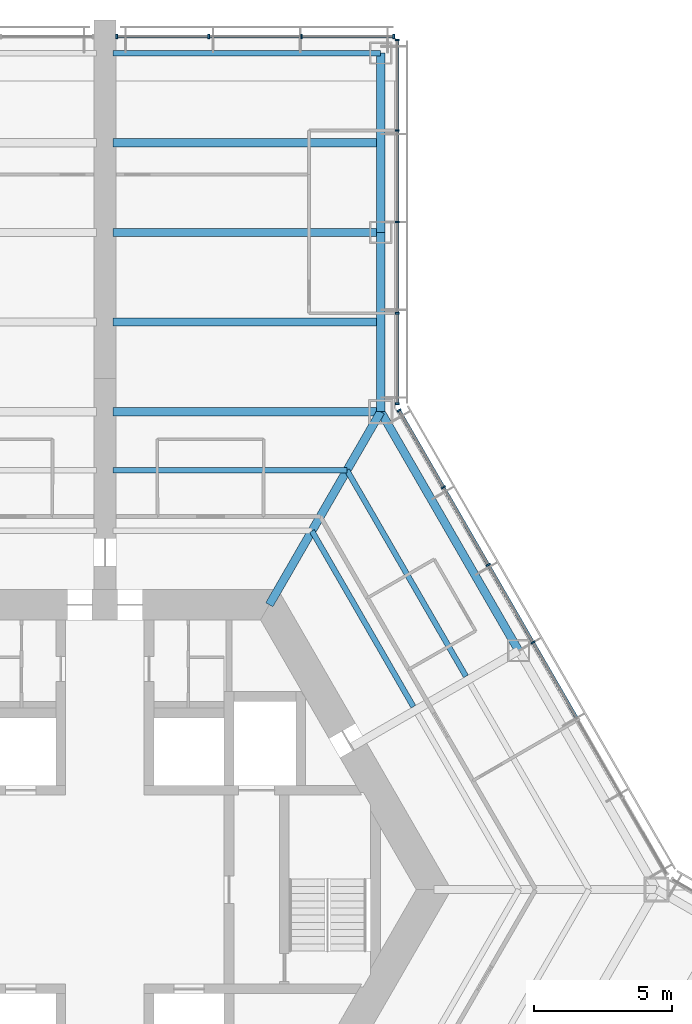
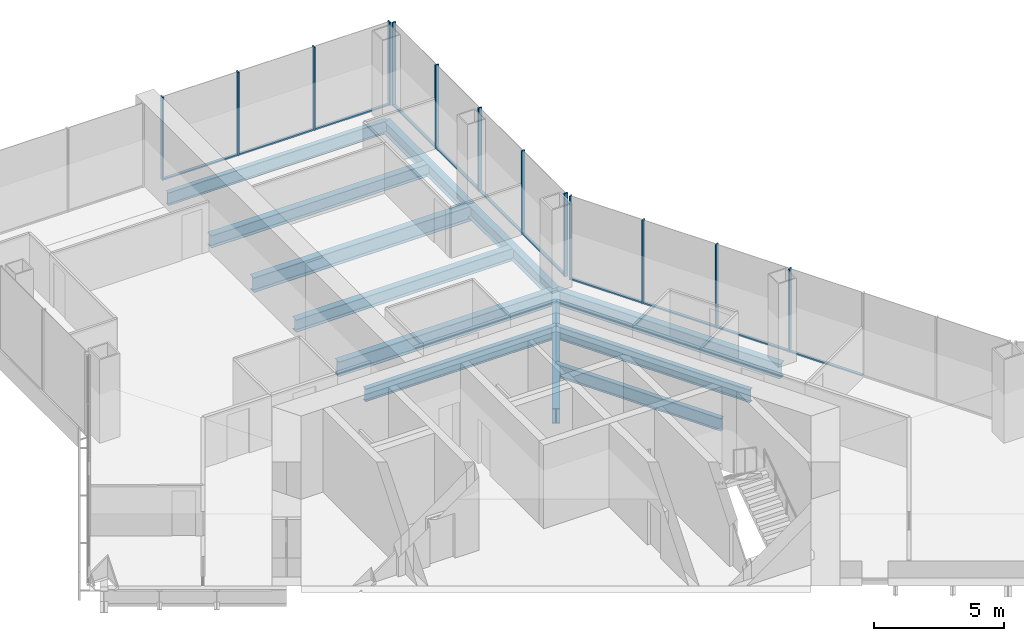
# One storey, part 8 of 18: 24 members, 12 beams, 3 elements without a shape of their own.
"""IFC4 building model written with IfcOpenShell, lengths in metres."""

from ifc_helpers import new_model, si_unit, direction, frame, origin, origin_2d, place, context, subcontext, project, spatial, rectangle, i_section, extrude, material, material_profile, profile_set, type_object, element, aggregate, save


model = new_model("IFC4")

# Units and contexts
model_context = context("Model", 3, precision=1e-05, world=origin(), true_north=direction((0.0, 1.0)))
body_context = subcontext(model_context, "Body", "Model", "MODEL_VIEW")
ifc_project = project(units=[si_unit("LENGTHUNIT", "METRE"), si_unit("AREAUNIT", "SQUARE_METRE"), si_unit("VOLUMEUNIT", "CUBIC_METRE"), si_unit("PLANEANGLEUNIT", "RADIAN"), si_unit("MASSUNIT", "GRAM", prefix="KILO")], contexts=[model_context])

# Site, building, storey
site_placement = place(None, origin())
site = spatial("IfcSite", under=ifc_project, at=site_placement, CompositionType="ELEMENT")
building_placement = place(site_placement, origin())
building = spatial("IfcBuilding", under=site, at=building_placement, Name="Kasaneha Research Tower", CompositionType="ELEMENT")
storey_placement = place(building_placement, frame((0.0, 0.0, 119.699951171875)))
storey = spatial("IfcBuildingStorey", under=building, at=storey_placement, Name="L30", CompositionType="ELEMENT", Elevation=119.699951171875)

# Beams
ifc_material_1 = material(Name="Steel SN490B", Category="steel")
ifc_material_profile_1 = material_profile(ifc_material_1, i_section(OverallWidth=0.199951171875, OverallDepth=0.60009765625, WebThickness=0.010986328125, FlangeThickness=0.01708984375, FilletRadius=0.012939453125, at=origin_2d()), Name="H-600x200x11x17")
ifc_profile_set_1 = profile_set([ifc_material_profile_1], Name="Steel SN490B")
beam_type_1 = type_object("IfcBeamType", Name="B1-3 secondary beam H-600x200x11x17", PredefinedType="JOIST", material=ifc_profile_set_1)
beam_1_placement = place(storey_placement, frame((7.505615234375, 13.0, -0.449951171875), z_axis=(0.499994443168, -0.866028611999, 0.0), x_axis=(0.866028611999, 0.499994443168, 0.0)))
element("IfcBeam", 1, at=beam_1_placement, inside=storey, type_object=beam_type_1, Name="Secondary beam RS030R1 L30", PredefinedType="JOIST", context=body_context, shape_type="SweptSolid", body=[
    extrude(i_section(OverallWidth=0.199951171875, OverallDepth=0.60009765625, WebThickness=0.010986328125, FlangeThickness=0.01708984375, FilletRadius=0.012939453125, at=origin_2d()), origin(), (0.0, 0.0, 1.0), 7.35546875),
])
beam_2_placement = place(storey_placement, frame((8.775634765625, 15.199951171875, -0.449951171875), z_axis=(0.500017275495, -0.866015429543, 0.0), x_axis=(0.866015429543, 0.500017275495, 0.0)))
element("IfcBeam", 2, at=beam_2_placement, inside=storey, type_object=beam_type_1, Name="Secondary beam RS030R2 L30", PredefinedType="JOIST", context=body_context, shape_type="SweptSolid", body=[
    extrude(i_section(OverallWidth=0.199951171875, OverallDepth=0.60009765625, WebThickness=0.010986328125, FlangeThickness=0.01708984375, FilletRadius=0.012939453125, at=origin_2d()), origin(), (0.0, 0.0, 1.0), 8.625732421875),
])
beam_3_placement = place(storey_placement, frame((8.775634765625, 15.199951171875, -0.449951171875), z_axis=(-1.0, 0.0, 0.0), x_axis=(0.0, -1.0, 0.0)))
element("IfcBeam", 3, at=beam_3_placement, inside=storey, type_object=beam_type_1, Name="Secondary beam RS090L2 L30", PredefinedType="JOIST", context=body_context, shape_type="SweptSolid", body=[
    extrude(i_section(OverallWidth=0.199951171875, OverallDepth=0.60009765625, WebThickness=0.010986328125, FlangeThickness=0.01708984375, FilletRadius=0.012939453125, at=origin_2d()), origin(), (0.0, 0.0, 1.0), 8.4755859375),
])
ifc_material_2 = material(Name="Steel SN490B", Category="steel")
ifc_material_profile_2 = material_profile(ifc_material_2, i_section(OverallWidth=0.300048828125, OverallDepth=0.58203125, WebThickness=0.011962890625, FlangeThickness=0.01708984375, FilletRadius=0.012939453125, at=origin_2d()), Name="H-582x300x12x17")
ifc_profile_set_2 = profile_set([ifc_material_profile_2], Name="Steel SN490B")
beam_type_2 = type_object("IfcBeamType", Name="B2-3 secondary beam H-582x300x12x17", PredefinedType="JOIST", material=ifc_profile_set_2)
for number, where, z_axis, x_axis, name in (
    (4, (10.0, 20.570556640625, -0.44091796875), (-1.0, 0.0, 0.0), (0.0, -1.0, 0.0), "Secondary beam WBAP1 L30"),
    (5, (10.0, 27.070556640625, -0.44091796875), (-1.0, 0.0, 0.0), (0.0, -1.0, 0.0), "Secondary beam WBAP2 L30"),
):
    element("IfcBeam", number, at=place(storey_placement, frame(where, z_axis=z_axis, x_axis=x_axis)), inside=storey, type_object=beam_type_2, Name=name, PredefinedType="JOIST", context=body_context, shape_type="SweptSolid", body=[
        extrude(i_section(OverallWidth=0.300048828125, OverallDepth=0.58203125, WebThickness=0.011962890625, FlangeThickness=0.01708984375, FilletRadius=0.012939453125, at=origin_2d()), origin(), (0.0, 0.0, 1.0), 9.699951171875),
    ])

# Curtain wall, members
ifc_material_3 = material(Name="Glass and aluminium", Category="aluminium")
curtain_wall_type = type_object("IfcCurtainWallType", Name="Low-rise office curtain wall", PredefinedType="USERDEFINED", material=ifc_material_3)
curtain_wall_1_placement = place(storey_placement, origin())
curtain_wall_1 = element("IfcCurtainWall", 6, at=curtain_wall_1_placement, inside=storey, type_object=curtain_wall_type, Name="CW-O1 L30 run 07a", ObjectType="UNITISED CURTAIN WALL", PredefinedType="USERDEFINED")
ifc_material_4 = material(Name="Aluminium 6063-T6", Category="aluminium")
ifc_material_profile_3 = material_profile(ifc_material_4, rectangle(XDim=0.06005859375, YDim=0.159912109375, at=origin_2d()), Name="CW-O1 mullion 60x160")
ifc_profile_set_3 = profile_set([ifc_material_profile_3], Name="Aluminium 6063-T6")
member_type_1 = type_object("IfcMemberType", Name="CW-O1 mullion", PredefinedType="MULLION", material=ifc_profile_set_3)
member_1_placement = place(storey_placement, frame((15.51953125, 8.960205078125, 0.0), z_axis=(0.0, 0.0, 1.0), x_axis=(-0.49999996188, 0.866025425793, 0.0)))
member_1 = element("IfcMember", 7, at=member_1_placement, type_object=member_type_1, Name="CW-O1 mullion 4", PredefinedType="MULLION", context=body_context, shape_type="SweptSolid", body=[
    extrude(rectangle(XDim=0.06005859375, YDim=0.159912109375, at=origin_2d()), origin(), (0.0, 0.0, 1.0), 3.900146484375),
])
member_2_placement = place(storey_placement, frame((13.896484375, 11.771728515625, 0.0), z_axis=(0.0, 0.0, 1.0), x_axis=(-0.49999996188, 0.866025425793, 0.0)))
member_2 = element("IfcMember", 8, at=member_2_placement, type_object=member_type_1, Name="CW-O1 mullion 5", PredefinedType="MULLION", context=body_context, shape_type="SweptSolid", body=[
    extrude(rectangle(XDim=0.06005859375, YDim=0.159912109375, at=origin_2d()), origin(), (0.0, 0.0, 1.0), 3.900146484375),
])
member_3_placement = place(storey_placement, frame((12.273193359375, 14.583251953125, 0.0), z_axis=(0.0, 0.0, 1.0), x_axis=(-0.49999996188, 0.866025425793, 0.0)))
member_3 = element("IfcMember", 9, at=member_3_placement, type_object=member_type_1, Name="CW-O1 mullion 6", PredefinedType="MULLION", context=body_context, shape_type="SweptSolid", body=[
    extrude(rectangle(XDim=0.06005859375, YDim=0.159912109375, at=origin_2d()), origin(), (0.0, 0.0, 1.0), 3.900146484375),
])
member_4_placement = place(storey_placement, frame((10.6650390625, 17.36865234375, 0.0), z_axis=(0.0, 0.0, 1.0), x_axis=(-0.49999996188, 0.866025425793, 0.0)))
member_4 = element("IfcMember", 10, at=member_4_placement, type_object=member_type_1, Name="CW-O1 mullion 7", PredefinedType="MULLION", context=body_context, shape_type="SweptSolid", body=[
    extrude(rectangle(XDim=0.06005859375, YDim=0.159912109375, at=origin_2d()), origin(), (0.0, 0.0, 1.0), 3.900146484375),
])

curtain_wall_2_placement = place(storey_placement, origin())
curtain_wall_2 = element("IfcCurtainWall", 11, at=curtain_wall_2_placement, inside=storey, type_object=curtain_wall_type, Name="CW-O1 L30 run 08a", ObjectType="UNITISED CURTAIN WALL", PredefinedType="USERDEFINED")
member_5_placement = place(storey_placement, frame((10.60009765625, 17.611328125, 0.0), z_axis=(0.0, 0.0, 1.0), x_axis=(0.0, 1.0, 0.0)))
member_5 = element("IfcMember", 12, at=member_5_placement, type_object=member_type_1, Name="CW-O1 mullion 1", PredefinedType="MULLION", context=body_context, shape_type="SweptSolid", body=[
    extrude(rectangle(XDim=0.06005859375, YDim=0.159912109375, at=origin_2d()), origin(), (0.0, 0.0, 1.0), 3.900146484375),
])
member_6_placement = place(storey_placement, frame((10.60009765625, 20.89111328125, 0.0), z_axis=(0.0, 0.0, 1.0), x_axis=(0.0, 1.0, 0.0)))
member_6 = element("IfcMember", 13, at=member_6_placement, type_object=member_type_1, Name="CW-O1 mullion 2", PredefinedType="MULLION", context=body_context, shape_type="SweptSolid", body=[
    extrude(rectangle(XDim=0.06005859375, YDim=0.159912109375, at=origin_2d()), origin(), (0.0, 0.0, 1.0), 3.900146484375),
])
member_7_placement = place(storey_placement, frame((10.60009765625, 24.200927734375, 0.0), z_axis=(0.0, 0.0, 1.0), x_axis=(0.0, 1.0, 0.0)))
member_7 = element("IfcMember", 14, at=member_7_placement, type_object=member_type_1, Name="CW-O1 mullion 3", PredefinedType="MULLION", context=body_context, shape_type="SweptSolid", body=[
    extrude(rectangle(XDim=0.06005859375, YDim=0.159912109375, at=origin_2d()), origin(), (0.0, 0.0, 1.0), 3.900146484375),
])
member_8_placement = place(storey_placement, frame((10.60009765625, 27.5107421875, 0.0), z_axis=(0.0, 0.0, 1.0), x_axis=(0.0, 1.0, 0.0)))
member_8 = element("IfcMember", 15, at=member_8_placement, type_object=member_type_1, Name="CW-O1 mullion 4", PredefinedType="MULLION", context=body_context, shape_type="SweptSolid", body=[
    extrude(rectangle(XDim=0.06005859375, YDim=0.159912109375, at=origin_2d()), origin(), (0.0, 0.0, 1.0), 3.900146484375),
])
member_9_placement = place(storey_placement, frame((10.60009765625, 30.79052734375, 0.0), z_axis=(0.0, 0.0, 1.0), x_axis=(0.0, 1.0, 0.0)))
member_9 = element("IfcMember", 16, at=member_9_placement, type_object=member_type_1, Name="CW-O1 mullion 5", PredefinedType="MULLION", context=body_context, shape_type="SweptSolid", body=[
    extrude(rectangle(XDim=0.06005859375, YDim=0.159912109375, at=origin_2d()), origin(), (0.0, 0.0, 1.0), 3.900146484375),
])

curtain_wall_3_placement = place(storey_placement, origin())
curtain_wall_3 = element("IfcCurtainWall", 17, at=curtain_wall_3_placement, inside=storey, type_object=curtain_wall_type, Name="CW-O1 L30 run 09a", ObjectType="UNITISED CURTAIN WALL", PredefinedType="USERDEFINED")
member_10_placement = place(storey_placement, frame((10.469970703125, 30.92041015625, 0.0), z_axis=(0.0, 0.0, 1.0), x_axis=(-1.0, 0.0, 0.0)))
member_10 = element("IfcMember", 18, at=member_10_placement, type_object=member_type_1, Name="CW-O1 mullion 1", PredefinedType="MULLION", context=body_context, shape_type="SweptSolid", body=[
    extrude(rectangle(XDim=0.06005859375, YDim=0.159912109375, at=origin_2d()), origin(), (0.0, 0.0, 1.0), 3.900146484375),
])
member_11_placement = place(storey_placement, frame((7.13330078125, 30.92041015625, 0.0), z_axis=(0.0, 0.0, 1.0), x_axis=(-1.0, 0.0, 0.0)))
member_11 = element("IfcMember", 19, at=member_11_placement, type_object=member_type_1, Name="CW-O1 mullion 2", PredefinedType="MULLION", context=body_context, shape_type="SweptSolid", body=[
    extrude(rectangle(XDim=0.06005859375, YDim=0.159912109375, at=origin_2d()), origin(), (0.0, 0.0, 1.0), 3.900146484375),
])
member_12_placement = place(storey_placement, frame((3.7666015625, 30.92041015625, 0.0), z_axis=(0.0, 0.0, 1.0), x_axis=(-1.0, 0.0, 0.0)))
member_12 = element("IfcMember", 20, at=member_12_placement, type_object=member_type_1, Name="CW-O1 mullion 3", PredefinedType="MULLION", context=body_context, shape_type="SweptSolid", body=[
    extrude(rectangle(XDim=0.06005859375, YDim=0.159912109375, at=origin_2d()), origin(), (0.0, 0.0, 1.0), 3.900146484375),
])
member_13_placement = place(storey_placement, frame((0.429931640625, 30.92041015625, 0.0), z_axis=(0.0, 0.0, 1.0), x_axis=(-1.0, 0.0, 0.0)))
member_13 = element("IfcMember", 21, at=member_13_placement, type_object=member_type_1, Name="CW-O1 mullion 4", PredefinedType="MULLION", context=body_context, shape_type="SweptSolid", body=[
    extrude(rectangle(XDim=0.06005859375, YDim=0.159912109375, at=origin_2d()), origin(), (0.0, 0.0, 1.0), 3.900146484375),
])

# Member
ifc_material_5 = material(Name="Aluminium 6063-T6", Category="aluminium")
ifc_material_profile_4 = material_profile(ifc_material_5, rectangle(XDim=0.1201171875, YDim=0.06005859375, at=origin_2d()), Name="CW-O1 transom 120x60")
ifc_profile_set_4 = profile_set([ifc_material_profile_4], Name="Aluminium 6063-T6")
member_type_2 = type_object("IfcMemberType", Name="CW-O1 transom", PredefinedType="USERDEFINED", material=ifc_profile_set_4)
member_14_placement = place(storey_placement, frame((17.1279296875, 6.1748046875, 0.030029296875), z_axis=(-0.500012062035, 0.866018439653, 0.0), x_axis=(-0.866018439653, -0.500012062035, 0.0)))
member_14 = element("IfcMember", 22, at=member_14_placement, type_object=member_type_2, Name="CW-O1 transom 3", ObjectType="TRANSOM", PredefinedType="USERDEFINED", context=body_context, shape_type="SweptSolid", body=[
    extrude(rectangle(XDim=0.1201171875, YDim=0.06005859375, at=origin_2d()), origin(), (0.0, 0.0, 1.0), 3.1865234375),
])

member_15_placement = place(storey_placement, frame((15.504638671875, 8.986328125, 0.030029296875), z_axis=(-0.500012062035, 0.866018439653, 0.0), x_axis=(-0.866018439653, -0.500012062035, 0.0)))
member_15 = element("IfcMember", 23, at=member_15_placement, type_object=member_type_2, Name="CW-O1 transom 4", ObjectType="TRANSOM", PredefinedType="USERDEFINED", context=body_context, shape_type="SweptSolid", body=[
    extrude(rectangle(XDim=0.1201171875, YDim=0.06005859375, at=origin_2d()), origin(), (0.0, 0.0, 1.0), 3.1865234375),
])

member_16_placement = place(storey_placement, frame((13.88134765625, 11.797607421875, 0.030029296875), z_axis=(-0.500012062035, 0.866018439653, 0.0), x_axis=(-0.866018439653, -0.500012062035, 0.0)))
member_16 = element("IfcMember", 24, at=member_16_placement, type_object=member_type_2, Name="CW-O1 transom 5", ObjectType="TRANSOM", PredefinedType="USERDEFINED", context=body_context, shape_type="SweptSolid", body=[
    extrude(rectangle(XDim=0.1201171875, YDim=0.06005859375, at=origin_2d()), origin(), (0.0, 0.0, 1.0), 3.1865234375),
])

member_17_placement = place(storey_placement, frame((12.25830078125, 14.609130859375, 0.030029296875), z_axis=(-0.500023726918, 0.866011704609, 0.0), x_axis=(-0.866011704609, -0.500023726918, 0.0)))
member_17 = element("IfcMember", 25, at=member_17_placement, type_object=member_type_2, Name="CW-O1 transom 6", ObjectType="TRANSOM", PredefinedType="USERDEFINED", context=body_context, shape_type="SweptSolid", body=[
    extrude(rectangle(XDim=0.1201171875, YDim=0.06005859375, at=origin_2d()), origin(), (0.0, 0.0, 1.0), 3.156494140625),
])

aggregate(curtain_wall_1, [member_1, member_2, member_3, member_4, member_14, member_15, member_16, member_17])

member_18_placement = place(storey_placement, frame((10.60009765625, 17.641357421875, 0.030029296875), z_axis=(0.0, 1.0, 0.0), x_axis=(-1.0, 0.0, 0.0)))
member_18 = element("IfcMember", 26, at=member_18_placement, type_object=member_type_2, Name="CW-O1 transom 1", ObjectType="TRANSOM", PredefinedType="USERDEFINED", context=body_context, shape_type="SweptSolid", body=[
    extrude(rectangle(XDim=0.1201171875, YDim=0.06005859375, at=origin_2d()), origin(), (0.0, 0.0, 1.0), 3.2197265625),
])

member_19_placement = place(storey_placement, frame((10.60009765625, 20.921142578125, 0.030029296875), z_axis=(0.0, 1.0, 0.0), x_axis=(-1.0, 0.0, 0.0)))
member_19 = element("IfcMember", 27, at=member_19_placement, type_object=member_type_2, Name="CW-O1 transom 2", ObjectType="TRANSOM", PredefinedType="USERDEFINED", context=body_context, shape_type="SweptSolid", body=[
    extrude(rectangle(XDim=0.1201171875, YDim=0.06005859375, at=origin_2d()), origin(), (0.0, 0.0, 1.0), 3.249755859375),
])

member_20_placement = place(storey_placement, frame((10.60009765625, 24.23095703125, 0.030029296875), z_axis=(0.0, 1.0, 0.0), x_axis=(-1.0, 0.0, 0.0)))
member_20 = element("IfcMember", 28, at=member_20_placement, type_object=member_type_2, Name="CW-O1 transom 3", ObjectType="TRANSOM", PredefinedType="USERDEFINED", context=body_context, shape_type="SweptSolid", body=[
    extrude(rectangle(XDim=0.1201171875, YDim=0.06005859375, at=origin_2d()), origin(), (0.0, 0.0, 1.0), 3.249755859375),
])

member_21_placement = place(storey_placement, frame((10.60009765625, 27.540771484375, 0.030029296875), z_axis=(0.0, 1.0, 0.0), x_axis=(-1.0, 0.0, 0.0)))
member_21 = element("IfcMember", 29, at=member_21_placement, type_object=member_type_2, Name="CW-O1 transom 4", ObjectType="TRANSOM", PredefinedType="USERDEFINED", context=body_context, shape_type="SweptSolid", body=[
    extrude(rectangle(XDim=0.1201171875, YDim=0.06005859375, at=origin_2d()), origin(), (0.0, 0.0, 1.0), 3.2197265625),
])

aggregate(curtain_wall_2, [member_5, member_6, member_7, member_8, member_9, member_18, member_19, member_20, member_21])

member_22_placement = place(storey_placement, frame((10.43994140625, 30.92041015625, 0.030029296875), z_axis=(-1.0, 0.0, 0.0), x_axis=(0.0, -1.0, 0.0)))
member_22 = element("IfcMember", 30, at=member_22_placement, type_object=member_type_2, Name="CW-O1 transom 1", ObjectType="TRANSOM", PredefinedType="USERDEFINED", context=body_context, shape_type="SweptSolid", body=[
    extrude(rectangle(XDim=0.1201171875, YDim=0.06005859375, at=origin_2d()), origin(), (0.0, 0.0, 1.0), 3.276611328125),
])

member_23_placement = place(storey_placement, frame((7.103271484375, 30.92041015625, 0.030029296875), z_axis=(-1.0, 0.0, 0.0), x_axis=(0.0, -1.0, 0.0)))
member_23 = element("IfcMember", 31, at=member_23_placement, type_object=member_type_2, Name="CW-O1 transom 2", ObjectType="TRANSOM", PredefinedType="USERDEFINED", context=body_context, shape_type="SweptSolid", body=[
    extrude(rectangle(XDim=0.1201171875, YDim=0.06005859375, at=origin_2d()), origin(), (0.0, 0.0, 1.0), 3.306640625),
])

member_24_placement = place(storey_placement, frame((3.736572265625, 30.92041015625, 0.030029296875), z_axis=(-1.0, 0.0, 0.0), x_axis=(0.0, -1.0, 0.0)))
member_24 = element("IfcMember", 32, at=member_24_placement, type_object=member_type_2, Name="CW-O1 transom 3", ObjectType="TRANSOM", PredefinedType="USERDEFINED", context=body_context, shape_type="SweptSolid", body=[
    extrude(rectangle(XDim=0.1201171875, YDim=0.06005859375, at=origin_2d()), origin(), (0.0, 0.0, 1.0), 3.276611328125),
])

aggregate(curtain_wall_3, [member_10, member_11, member_12, member_13, member_22, member_23, member_24])

# Beams
ifc_material_6 = material(Name="Steel SN490B", Category="steel")
ifc_material_profile_5 = material_profile(ifc_material_6, i_section(OverallWidth=0.300048828125, OverallDepth=0.699951171875, WebThickness=0.012939453125, FlangeThickness=0.02392578125, FilletRadius=0.01806640625, at=origin_2d()), Name="H-700x300x13x24")
ifc_profile_set_5 = profile_set([ifc_material_profile_5], Name="Steel SN490B")
beam_type_3 = type_object("IfcBeamType", Name="G1-3 radial girder H-700x300x13x24", PredefinedType="BEAM", material=ifc_profile_set_5)
beam_4_placement = place(storey_placement, frame((5.961181640625, 10.324951171875, -0.5), z_axis=(0.49999105496, 0.866030568144, 0.0), x_axis=(-0.866030568144, 0.49999105496, 0.0)))
element("IfcBeam", 33, at=beam_4_placement, inside=storey, type_object=beam_type_3, Name="Radial girder RV060 L30", PredefinedType="BEAM", context=body_context, shape_type="SweptSolid", body=[
    extrude(i_section(OverallWidth=0.300048828125, OverallDepth=0.699951171875, WebThickness=0.012939453125, FlangeThickness=0.02392578125, FilletRadius=0.01806640625, at=origin_2d()), origin(), (0.0, 0.0, 1.0), 8.077880859375),
])
ifc_material_7 = material(Name="Steel SN490B", Category="steel")
ifc_material_profile_6 = material_profile(ifc_material_7, i_section(OverallWidth=0.300048828125, OverallDepth=0.69189453125, WebThickness=0.012939453125, FlangeThickness=0.02001953125, FilletRadius=0.01806640625, at=origin_2d()), Name="H-692x300x13x20")
ifc_profile_set_6 = profile_set([ifc_material_profile_6], Name="Steel SN490B")
beam_type_4 = type_object("IfcBeamType", Name="G3-3 plate edge girder H-692x300x13x20", PredefinedType="BEAM", material=ifc_profile_set_6)
beam_5_placement = place(storey_placement, frame((10.0, 17.320556640625, -0.495849609375), z_axis=(-1.0, 0.0, 0.0), x_axis=(0.0, -1.0, 0.0)))
element("IfcBeam", 34, at=beam_5_placement, inside=storey, type_object=beam_type_4, Name="Plate edge girder PEAP L30", PredefinedType="BEAM", context=body_context, shape_type="SweptSolid", body=[
    extrude(i_section(OverallWidth=0.300048828125, OverallDepth=0.69189453125, WebThickness=0.012939453125, FlangeThickness=0.02001953125, FilletRadius=0.01806640625, at=origin_2d()), origin(), (0.0, 0.0, 1.0), 9.699951171875),
])
ifc_material_8 = material(Name="Steel SN490B", Category="steel")
ifc_material_profile_7 = material_profile(ifc_material_8, i_section(OverallWidth=0.300048828125, OverallDepth=0.699951171875, WebThickness=0.012939453125, FlangeThickness=0.02392578125, FilletRadius=0.01806640625, at=origin_2d()), Name="H-700x300x13x24")
ifc_profile_set_7 = profile_set([ifc_material_profile_7], Name="Steel SN490B")
beam_type_5 = type_object("IfcBeamType", Name="G4-3 wing girder H-700x300x13x24", PredefinedType="BEAM", material=ifc_profile_set_7)
beam_6_placement = place(storey_placement, frame((10.0, 23.820556640625, -0.5), z_axis=(-1.0, 0.0, 0.0), x_axis=(0.0, -1.0, 0.0)))
element("IfcBeam", 35, at=beam_6_placement, inside=storey, type_object=beam_type_5, Name="Wing girder WGAP L30", PredefinedType="BEAM", context=body_context, shape_type="SweptSolid", body=[
    extrude(i_section(OverallWidth=0.300048828125, OverallDepth=0.699951171875, WebThickness=0.012939453125, FlangeThickness=0.02392578125, FilletRadius=0.01806640625, at=origin_2d()), origin(), (0.0, 0.0, 1.0), 9.699951171875),
])
ifc_material_9 = material(Name="Steel SN490B", Category="steel")
ifc_material_profile_8 = material_profile(ifc_material_9, i_section(OverallWidth=0.300048828125, OverallDepth=0.69189453125, WebThickness=0.012939453125, FlangeThickness=0.02001953125, FilletRadius=0.01806640625, at=origin_2d()), Name="H-692x300x13x20")
ifc_profile_set_8 = profile_set([ifc_material_profile_8], Name="Steel SN490B")
beam_type_6 = type_object("IfcBeamType", Name="SB1-3 spandrel beam H-692x300x13x20", PredefinedType="SPANDREL", material=ifc_profile_set_8)
beam_7_placement = place(storey_placement, frame((10.0, 17.320556640625, -0.495849609375), z_axis=(0.499993662806, -0.866029062534, 0.0), x_axis=(0.866029062534, 0.499993662806, 0.0)))
element("IfcBeam", 36, at=beam_7_placement, inside=storey, type_object=beam_type_6, Name="Spandrel beam SR030R L30", PredefinedType="SPANDREL", context=body_context, shape_type="SweptSolid", body=[
    extrude(i_section(OverallWidth=0.300048828125, OverallDepth=0.69189453125, WebThickness=0.012939453125, FlangeThickness=0.02001953125, FilletRadius=0.01806640625, at=origin_2d()), origin(), (0.0, 0.0, 1.0), 10.000244140625),
])
ifc_material_10 = material(Name="Steel SN490B", Category="steel")
ifc_material_profile_9 = material_profile(ifc_material_10, i_section(OverallWidth=0.300048828125, OverallDepth=0.58203125, WebThickness=0.011962890625, FlangeThickness=0.01708984375, FilletRadius=0.012939453125, at=origin_2d()), Name="H-582x300x12x17")
ifc_profile_set_9 = profile_set([ifc_material_profile_9], Name="Steel SN490B")
beam_type_7 = type_object("IfcBeamType", Name="SB2-3 spandrel beam H-582x300x12x17", PredefinedType="SPANDREL", material=ifc_profile_set_9)
for number, where, z_axis, x_axis, name in (
    (37, (10.0, 17.320556640625, -0.44091796875), (0.0, 1.0, 0.0), (-1.0, 0.0, 0.0), "Spandrel beam WSAP1 L30"),
    (38, (10.0, 23.820556640625, -0.44091796875), (0.0, 1.0, 0.0), (-1.0, 0.0, 0.0), "Spandrel beam WSAP2 L30"),
):
    element("IfcBeam", number, at=place(storey_placement, frame(where, z_axis=z_axis, x_axis=x_axis)), inside=storey, type_object=beam_type_7, Name=name, PredefinedType="SPANDREL", context=body_context, shape_type="SweptSolid", body=[
        extrude(i_section(OverallWidth=0.300048828125, OverallDepth=0.58203125, WebThickness=0.011962890625, FlangeThickness=0.01708984375, FilletRadius=0.012939453125, at=origin_2d()), origin(), (0.0, 0.0, 1.0), 6.5),
    ])
ifc_material_11 = material(Name="Steel SN490B", Category="steel")
ifc_material_profile_10 = material_profile(ifc_material_11, i_section(OverallWidth=0.199951171875, OverallDepth=0.60009765625, WebThickness=0.010986328125, FlangeThickness=0.01708984375, FilletRadius=0.012939453125, at=origin_2d()), Name="H-600x200x11x17")
ifc_profile_set_10 = profile_set([ifc_material_profile_10], Name="Steel SN490B")
beam_type_8 = type_object("IfcBeamType", Name="SB3-3 spandrel beam H-600x200x11x17", PredefinedType="SPANDREL", material=ifc_profile_set_10)
beam_8_placement = place(storey_placement, frame((10.0, 30.320556640625, -0.449951171875), z_axis=(-1.0, 0.0, 0.0), x_axis=(0.0, -1.0, 0.0)))
element("IfcBeam", 39, at=beam_8_placement, inside=storey, type_object=beam_type_8, Name="Spandrel beam WTAP L30", PredefinedType="SPANDREL", context=body_context, shape_type="SweptSolid", body=[
    extrude(i_section(OverallWidth=0.199951171875, OverallDepth=0.60009765625, WebThickness=0.010986328125, FlangeThickness=0.01708984375, FilletRadius=0.012939453125, at=origin_2d()), origin(), (0.0, 0.0, 1.0), 9.699951171875),
])

save(model, "model.ifc")
